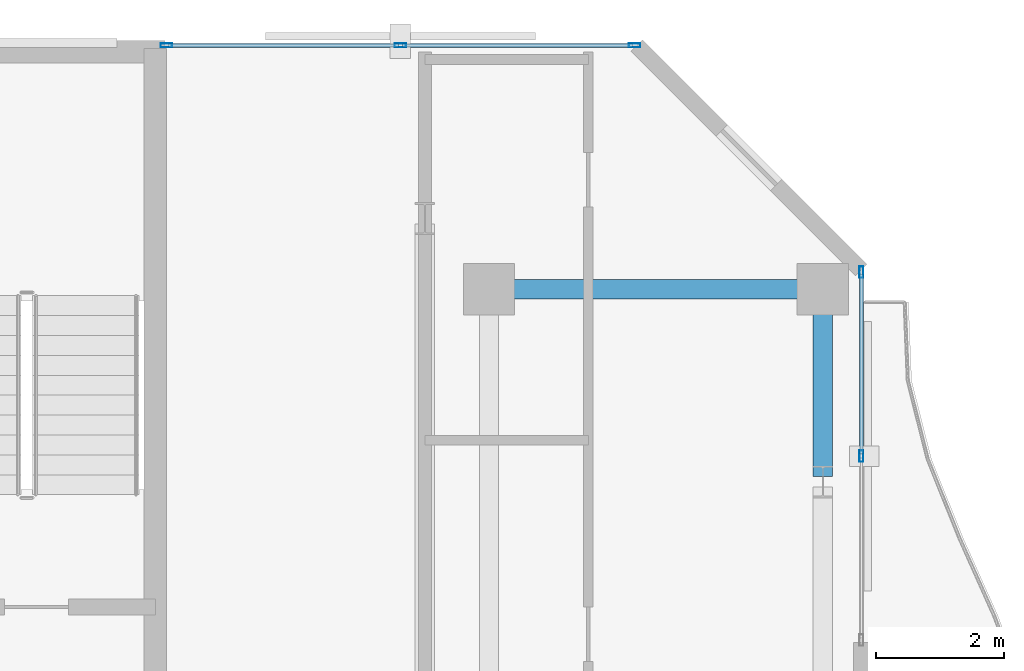
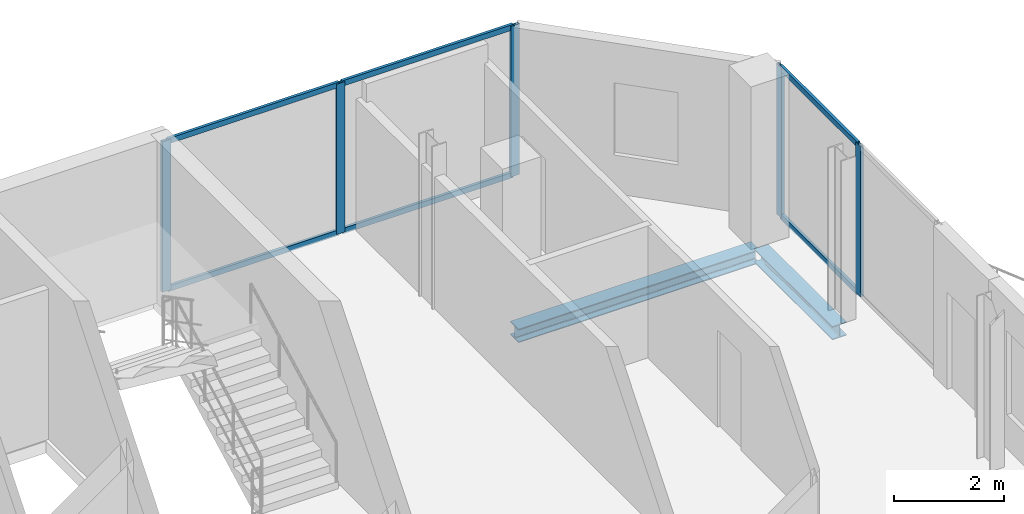
# One storey, part 16 of 23: 11 members, 2 beams, 2 elements without a shape of their own.
"""IFC4 building model written with IfcOpenShell, lengths in metres."""

from ifc_helpers import new_model, si_unit, direction, frame, origin, origin_2d, place, context, subcontext, project, spatial, hollow_rectangle, i_section, extrude, material, layer, layer_set, material_profile, profile_set, type_object, element, aggregate, save


model = new_model("IFC4")

# Units and contexts
model_context = context("Model", 3, precision=1e-05, world=origin(), true_north=direction((0.0, 1.0)))
body_context = subcontext(model_context, "Body", "Model", "MODEL_VIEW")
ifc_project = project(units=[si_unit("LENGTHUNIT", "METRE"), si_unit("AREAUNIT", "SQUARE_METRE"), si_unit("VOLUMEUNIT", "CUBIC_METRE"), si_unit("PLANEANGLEUNIT", "RADIAN"), si_unit("MASSUNIT", "GRAM", prefix="KILO")], contexts=[model_context])

# Site, building, storey
site_placement = place(None, origin())
site = spatial("IfcSite", under=ifc_project, at=site_placement, CompositionType="ELEMENT")
building_placement = place(site_placement, origin())
building = spatial("IfcBuilding", under=site, at=building_placement, Name="Catumbela Crestline Tower", CompositionType="ELEMENT")
storey_placement = place(building_placement, frame((0.0, 0.0, 186.6)))
storey = spatial("IfcBuildingStorey", under=building, at=storey_placement, Name="L48", CompositionType="ELEMENT", Elevation=186.6)

# Curtain wall, members
ifc_material_1 = material(Name="Aluminium alloy AW-6060-T66", Category="aluminium")
ifc_layer = layer(ifc_material_1, 0.18, Name="Aluminium alloy AW-6060-T66")
ifc_layer_set = layer_set([ifc_layer], Name="Aluminium alloy AW-6060-T66")
curtain_wall_type = type_object("IfcCurtainWallType", Name="CWU-Z3", PredefinedType="USERDEFINED", material=ifc_layer_set)
curtain_wall_1_placement = place(storey_placement, origin())
curtain_wall_1 = element("IfcCurtainWall", 1, at=curtain_wall_1_placement, inside=storey, type_object=curtain_wall_type, Name="L48 Unitised Curtain Wall CW-L48-E5S2", ObjectType="UNITISED", PredefinedType="USERDEFINED")
ifc_material_profile_1 = material_profile(ifc_material_1, hollow_rectangle(XDim=0.065, YDim=0.18, WallThickness=0.004, at=origin_2d()), Name="ALU 180x65x4")
ifc_profile_set_1 = profile_set([ifc_material_profile_1], Name="Aluminium alloy AW-6060-T66")
member_type_1 = type_object("IfcMemberType", Name="MUL-180X65", PredefinedType="MULLION", material=ifc_profile_set_1)
member_1_placement = place(storey_placement, frame((51.0, 36.6, 0.0), z_axis=(0.0, 0.0, 1.0), x_axis=(-1.0, 0.0, 0.0)))
member_1 = element("IfcMember", 2, at=member_1_placement, type_object=member_type_1, Name="CWU-Z3 mullion 2", PredefinedType="MULLION", context=body_context, shape_type="SweptSolid", body=[
    extrude(hollow_rectangle(XDim=0.065, YDim=0.18, WallThickness=0.004, at=origin_2d()), origin(), (0.0, 0.0, 1.0), 3.33),
])
member_2_placement = place(storey_placement, frame((51.0, 39.4675, 0.0), z_axis=(0.0, 0.0, 1.0), x_axis=(-1.0, 0.0, 0.0)))
member_2 = element("IfcMember", 3, at=member_2_placement, type_object=member_type_1, Name="CWU-Z3 mullion 3", PredefinedType="MULLION", context=body_context, shape_type="SweptSolid", body=[
    extrude(hollow_rectangle(XDim=0.065, YDim=0.18, WallThickness=0.004, at=origin_2d()), origin(), (0.0, 0.0, 1.0), 3.33),
])

curtain_wall_2_placement = place(storey_placement, origin())
curtain_wall_2 = element("IfcCurtainWall", 4, at=curtain_wall_2_placement, inside=storey, type_object=curtain_wall_type, Name="L48 Unitised Curtain Wall CW-L48-E7S1", ObjectType="UNITISED", PredefinedType="USERDEFINED")
member_3_placement = place(storey_placement, frame((47.4675, 43.0, 0.0), z_axis=(0.0, 0.0, 1.0), x_axis=(0.0, -1.0, 0.0)))
member_3 = element("IfcMember", 5, at=member_3_placement, type_object=member_type_1, Name="CWU-Z3 mullion 1", PredefinedType="MULLION", context=body_context, shape_type="SweptSolid", body=[
    extrude(hollow_rectangle(XDim=0.065, YDim=0.18, WallThickness=0.004, at=origin_2d()), origin(), (0.0, 0.0, 1.0), 3.33),
])
member_4_placement = place(storey_placement, frame((43.82, 43.0, 0.0), z_axis=(0.0, 0.0, 1.0), x_axis=(0.0, -1.0, 0.0)))
member_4 = element("IfcMember", 6, at=member_4_placement, type_object=member_type_1, Name="CWU-Z3 mullion 2", PredefinedType="MULLION", context=body_context, shape_type="SweptSolid", body=[
    extrude(hollow_rectangle(XDim=0.065, YDim=0.18, WallThickness=0.004, at=origin_2d()), origin(), (0.0, 0.0, 1.0), 3.33),
])
member_5_placement = place(storey_placement, frame((40.1725, 43.0, 0.0), z_axis=(0.0, 0.0, 1.0), x_axis=(0.0, -1.0, 0.0)))
member_5 = element("IfcMember", 7, at=member_5_placement, type_object=member_type_1, Name="CWU-Z3 mullion 3", PredefinedType="MULLION", context=body_context, shape_type="SweptSolid", body=[
    extrude(hollow_rectangle(XDim=0.065, YDim=0.18, WallThickness=0.004, at=origin_2d()), origin(), (0.0, 0.0, 1.0), 3.33),
])

# Beams
ifc_material_2 = material(Name="Structural steel S355J2", Category="steel")
ifc_material_profile_2 = material_profile(ifc_material_2, i_section(OverallWidth=0.3, OverallDepth=0.3, WebThickness=0.011, FlangeThickness=0.019, FilletRadius=0.027, at=origin_2d()), Name="HEB 300")
ifc_profile_set_2 = profile_set([ifc_material_profile_2], Name="Structural steel S355J2")
beam_type = type_object("IfcBeamType", Name="BS-HEB300", PredefinedType="SPANDREL", material=ifc_profile_set_2)
beam_1_placement = place(storey_placement, frame((45.28, 39.2, -0.41), z_axis=(1.0, 0.0, 0.0), x_axis=(0.0, 1.0, 0.0)))
element("IfcBeam", 8, at=beam_1_placement, inside=storey, type_object=beam_type, Name="L48 Spandrel SP-L48-N13", PredefinedType="SPANDREL", context=body_context, shape_type="SweptSolid", body=[
    extrude(i_section(OverallWidth=0.3, OverallDepth=0.3, WebThickness=0.011, FlangeThickness=0.019, FilletRadius=0.027, at=origin_2d()), origin(), (0.0, 0.0, 1.0), 5.04),
])
beam_2_placement = place(storey_placement, frame((50.4, 36.28, -0.41), z_axis=(0.0, 1.0, 0.0), x_axis=(-1.0, 0.0, 0.0)))
element("IfcBeam", 9, at=beam_2_placement, inside=storey, type_object=beam_type, Name="L48 Spandrel SP-L48-SN25", PredefinedType="SPANDREL", context=body_context, shape_type="SweptSolid", body=[
    extrude(i_section(OverallWidth=0.3, OverallDepth=0.3, WebThickness=0.011, FlangeThickness=0.019, FilletRadius=0.027, at=origin_2d()), origin(), (0.0, 0.0, 1.0), 2.84),
])

# Member
ifc_material_profile_3 = material_profile(ifc_material_1, hollow_rectangle(XDim=0.06, YDim=0.12, WallThickness=0.0035, at=origin_2d()), Name="ALU 120x60x3.5")
ifc_profile_set_3 = profile_set([ifc_material_profile_3], Name="Aluminium alloy AW-6060-T66")
member_type_2 = type_object("IfcMemberType", Name="TRN-120X60", PredefinedType="USERDEFINED", material=ifc_profile_set_3)
member_6_placement = place(storey_placement, frame((51.0, 36.6325, 0.03), z_axis=(0.0, 1.0, 0.0), x_axis=(-1.0, 0.0, 0.0)))
member_6 = element("IfcMember", 10, at=member_6_placement, type_object=member_type_2, Name="CWU-Z3 transom 2.1", ObjectType="TRANSOM", PredefinedType="USERDEFINED", context=body_context, shape_type="SweptSolid", body=[
    extrude(hollow_rectangle(XDim=0.06, YDim=0.12, WallThickness=0.0035, at=origin_2d()), origin(), (0.0, 0.0, 1.0), 2.8025),
])

member_7_placement = place(storey_placement, frame((51.0, 36.6325, 3.3), z_axis=(0.0, 1.0, 0.0), x_axis=(-1.0, 0.0, 0.0)))
member_7 = element("IfcMember", 11, at=member_7_placement, type_object=member_type_2, Name="CWU-Z3 transom 2.2", ObjectType="TRANSOM", PredefinedType="USERDEFINED", context=body_context, shape_type="SweptSolid", body=[
    extrude(hollow_rectangle(XDim=0.06, YDim=0.12, WallThickness=0.0035, at=origin_2d()), origin(), (0.0, 0.0, 1.0), 2.8025),
])

aggregate(curtain_wall_1, [member_1, member_2, member_6, member_7])

member_8_placement = place(storey_placement, frame((47.435, 43.0, 0.03), z_axis=(-1.0, 0.0, 0.0), x_axis=(0.0, -1.0, 0.0)))
member_8 = element("IfcMember", 12, at=member_8_placement, type_object=member_type_2, Name="CWU-Z3 transom 1.1", ObjectType="TRANSOM", PredefinedType="USERDEFINED", context=body_context, shape_type="SweptSolid", body=[
    extrude(hollow_rectangle(XDim=0.06, YDim=0.12, WallThickness=0.0035, at=origin_2d()), origin(), (0.0, 0.0, 1.0), 3.5825),
])

member_9_placement = place(storey_placement, frame((47.435, 43.0, 3.3), z_axis=(-1.0, 0.0, 0.0), x_axis=(0.0, -1.0, 0.0)))
member_9 = element("IfcMember", 13, at=member_9_placement, type_object=member_type_2, Name="CWU-Z3 transom 1.2", ObjectType="TRANSOM", PredefinedType="USERDEFINED", context=body_context, shape_type="SweptSolid", body=[
    extrude(hollow_rectangle(XDim=0.06, YDim=0.12, WallThickness=0.0035, at=origin_2d()), origin(), (0.0, 0.0, 1.0), 3.5825),
])

member_10_placement = place(storey_placement, frame((43.7875, 43.0, 0.03), z_axis=(-1.0, 0.0, 0.0), x_axis=(0.0, -1.0, 0.0)))
member_10 = element("IfcMember", 14, at=member_10_placement, type_object=member_type_2, Name="CWU-Z3 transom 2.1", ObjectType="TRANSOM", PredefinedType="USERDEFINED", context=body_context, shape_type="SweptSolid", body=[
    extrude(hollow_rectangle(XDim=0.06, YDim=0.12, WallThickness=0.0035, at=origin_2d()), origin(), (0.0, 0.0, 1.0), 3.5825),
])

member_11_placement = place(storey_placement, frame((43.7875, 43.0, 3.3), z_axis=(-1.0, 0.0, 0.0), x_axis=(0.0, -1.0, 0.0)))
member_11 = element("IfcMember", 15, at=member_11_placement, type_object=member_type_2, Name="CWU-Z3 transom 2.2", ObjectType="TRANSOM", PredefinedType="USERDEFINED", context=body_context, shape_type="SweptSolid", body=[
    extrude(hollow_rectangle(XDim=0.06, YDim=0.12, WallThickness=0.0035, at=origin_2d()), origin(), (0.0, 0.0, 1.0), 3.5825),
])

aggregate(curtain_wall_2, [member_3, member_4, member_5, member_8, member_9, member_10, member_11])

save(model, "model.ifc")
